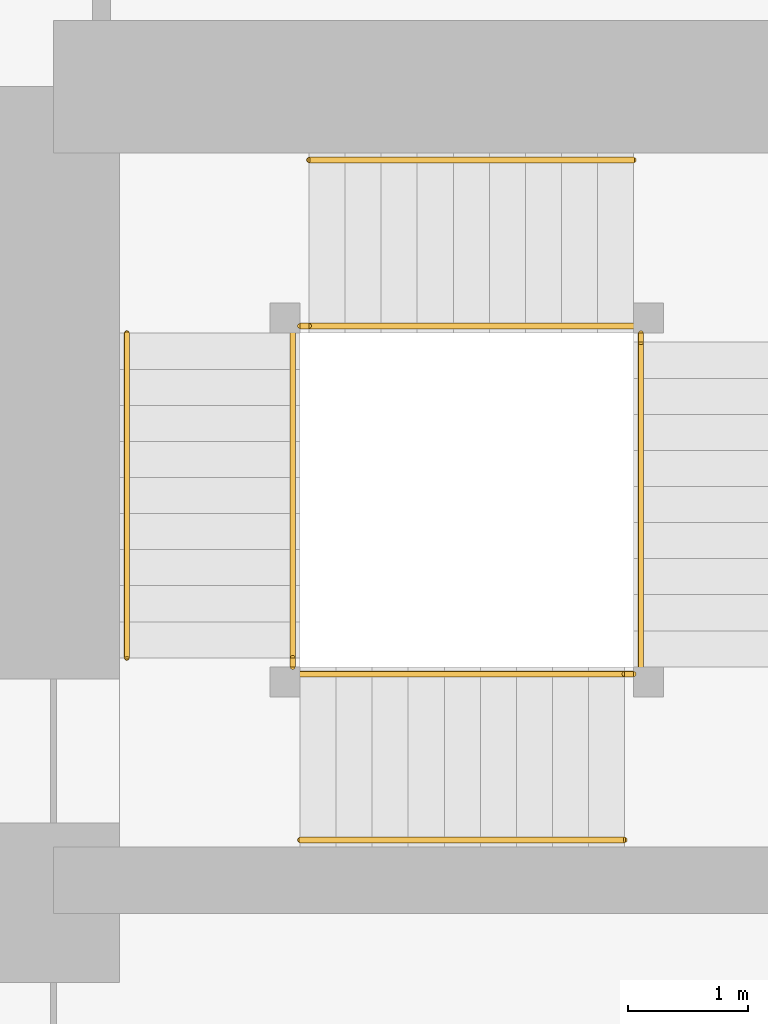
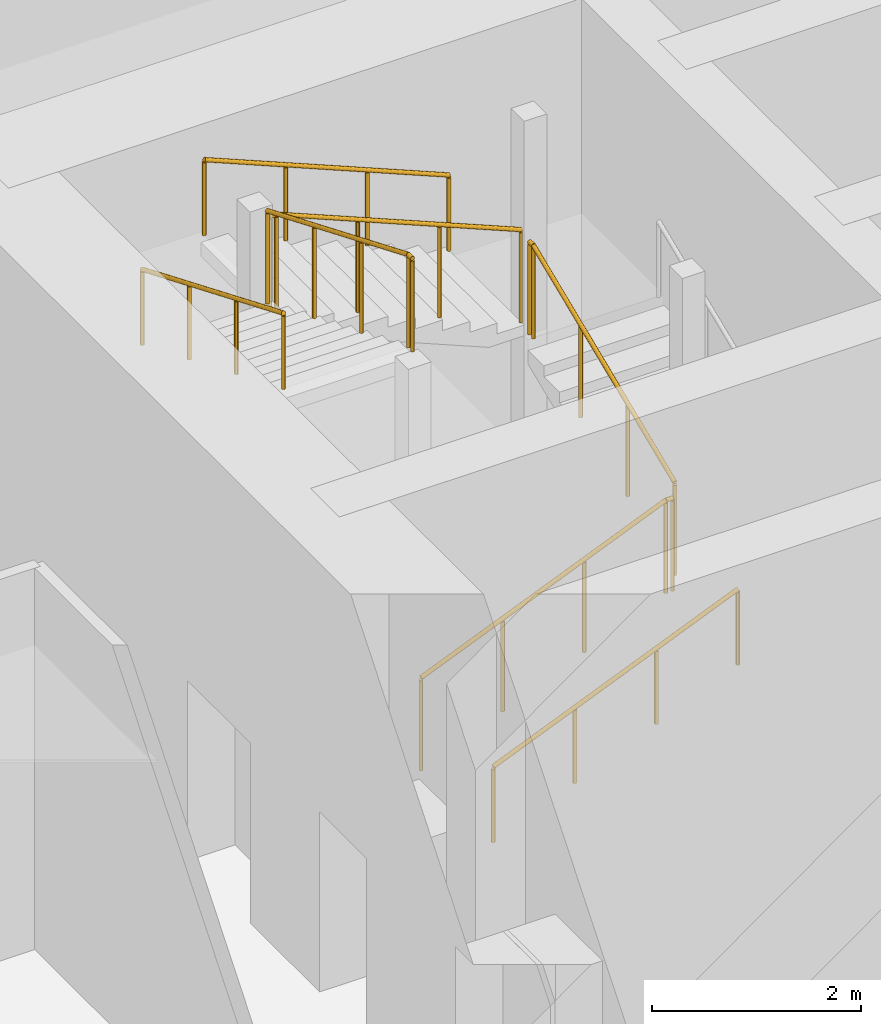
# One storey, part 49 of 52: 11 railings.
"""IFC4 building model written with IfcOpenShell, lengths in metres."""

from ifc_helpers import new_model, si_unit, direction, frame, origin, origin_2d, place, context, subcontext, project, spatial, circle, extrude, material, type_object, element, save


model = new_model("IFC4")

# Units and contexts
model_context = context("Model", 3, precision=1e-05, world=origin(), true_north=direction((0.0, 1.0)))
body_context = subcontext(model_context, "Body", "Model", "MODEL_VIEW")
ifc_project = project(units=[si_unit("LENGTHUNIT", "METRE"), si_unit("AREAUNIT", "SQUARE_METRE"), si_unit("VOLUMEUNIT", "CUBIC_METRE"), si_unit("PLANEANGLEUNIT", "RADIAN"), si_unit("MASSUNIT", "GRAM", prefix="KILO")], contexts=[model_context])

# Site, building, storey
site_placement = place(None, origin())
site = spatial("IfcSite", under=ifc_project, at=site_placement, CompositionType="ELEMENT")
building_placement = place(site_placement, origin())
building = spatial("IfcBuilding", under=site, at=building_placement, Name="Rekha Terrace Tower", CompositionType="ELEMENT")
storey_placement = place(building_placement, frame((0.0, 0.0, 20.39990234375)))
storey = spatial("IfcBuildingStorey", under=building, at=storey_placement, Name="L04", CompositionType="ELEMENT", Elevation=20.39990234375)

# Railings
ifc_material_1 = material(Name="Stainless steel balustrade", Category="steel")
railing_type_1 = type_object("IfcRailingType", Name="GR1 1100 stair guard", PredefinedType="GUARDRAIL", material=ifc_material_1)
railing_1_placement = place(storey_placement, frame((27.25, 41.31494140625, 0.125)))
element("IfcRailing", 1, at=railing_1_placement, inside=storey, type_object=railing_type_1, Name="Guard ST4 L04 flight 1", PredefinedType="GUARDRAIL", context=body_context, shape_type="SweptSolid", body=[
    extrude(circle(Radius=0.02392578125, at=origin_2d()), frame((0.0, 0.0, 1.076171875), z_axis=(0.923074453586, 0.0, 0.384621311341), x_axis=(0.0, 1.0, 0.0)), (0.0, 0.0, 1.0), 2.925048828125),
    extrude(circle(Radius=0.02099609375, at=origin_2d()), origin(), (0.0, 0.0, 1.0), 1.052001953125),
    extrude(circle(Radius=0.02099609375, at=origin_2d()), frame((0.89990234375, 0.0, 0.375)), (0.0, 0.0, 1.0), 1.052001953125),
    extrude(circle(Radius=0.02099609375, at=origin_2d()), frame((1.800048828125, 0.0, 0.75)), (0.0, 0.0, 1.0), 1.052001953125),
    extrude(circle(Radius=0.02099609375, at=origin_2d()), frame((2.699951171875, 0.0, 1.125)), (0.0, 0.0, 1.0), 1.052001953125),
])
railing_2_placement = place(storey_placement, frame((30.0849609375, 41.375, 1.375)))
element("IfcRailing", 2, at=railing_2_placement, inside=storey, type_object=railing_type_1, Name="Guard ST4 L04 flight 2", PredefinedType="GUARDRAIL", context=body_context, shape_type="SweptSolid", body=[
    extrude(circle(Radius=0.02392578125, at=origin_2d()), frame((0.0, 0.0, 1.076171875), z_axis=(0.0, 0.923074453586, 0.384621311341), x_axis=(-1.0, 0.0, 0.0)), (0.0, 0.0, 1.0), 2.925048828125),
    extrude(circle(Radius=0.02099609375, at=origin_2d()), origin(), (0.0, 0.0, 1.0), 1.052001953125),
    extrude(circle(Radius=0.02099609375, at=origin_2d()), frame((0.0, 0.89990234375, 0.375)), (0.0, 0.0, 1.0), 1.052001953125),
    extrude(circle(Radius=0.02099609375, at=origin_2d()), frame((0.0, 1.800048828125, 0.75)), (0.0, 0.0, 1.0), 1.052001953125),
    extrude(circle(Radius=0.02099609375, at=origin_2d()), frame((0.0, 2.699951171875, 1.125)), (0.0, 0.0, 1.0), 1.052001953125),
])
railing_3_placement = place(storey_placement, frame((30.02490234375, 44.2099609375, 2.625)))
element("IfcRailing", 3, at=railing_3_placement, inside=storey, type_object=railing_type_1, Name="Guard ST4 L04 flight 3", PredefinedType="GUARDRAIL", context=body_context, shape_type="SweptSolid", body=[
    extrude(circle(Radius=0.02392578125, at=origin_2d()), frame((0.0, 0.0, 1.076171875), z_axis=(-0.923074453586, 0.0, 0.384621311341), x_axis=(0.0, -1.0, 0.0)), (0.0, 0.0, 1.0), 2.925048828125),
    extrude(circle(Radius=0.02099609375, at=origin_2d()), origin(), (0.0, 0.0, 1.0), 1.052001953125),
    extrude(circle(Radius=0.02099609375, at=origin_2d()), frame((-0.89990234375, 0.0, 0.375)), (0.0, 0.0, 1.0), 1.052001953125),
    extrude(circle(Radius=0.02099609375, at=origin_2d()), frame((-1.800048828125, 0.0, 0.75)), (0.0, 0.0, 1.0), 1.052001953125),
    extrude(circle(Radius=0.02099609375, at=origin_2d()), frame((-2.699951171875, 0.0, 1.125)), (0.0, 0.0, 1.0), 1.052001953125),
])
railing_4_placement = place(storey_placement, frame((27.18994140625, 44.14990234375, 3.875)))
element("IfcRailing", 4, at=railing_4_placement, inside=storey, type_object=railing_type_1, Name="Guard ST4 L04 flight 4", PredefinedType="GUARDRAIL", context=body_context, shape_type="SweptSolid", body=[
    extrude(circle(Radius=0.02392578125, at=origin_2d()), frame((0.0, 0.0, 1.076171875), z_axis=(0.0, -0.923074453586, 0.384621311341), x_axis=(1.0, 0.0, 0.0)), (0.0, 0.0, 1.0), 2.925048828125),
    extrude(circle(Radius=0.02099609375, at=origin_2d()), origin(), (0.0, 0.0, 1.0), 1.052001953125),
    extrude(circle(Radius=0.02099609375, at=origin_2d()), frame((0.0, -0.89990234375, 0.375)), (0.0, 0.0, 1.0), 1.052001953125),
    extrude(circle(Radius=0.02099609375, at=origin_2d()), frame((0.0, -1.800048828125, 0.75)), (0.0, 0.0, 1.0), 1.052001953125),
    extrude(circle(Radius=0.02099609375, at=origin_2d()), frame((0.0, -2.699951171875, 1.125)), (0.0, 0.0, 1.0), 1.052001953125),
])
railing_5_placement = place(storey_placement, frame((29.949951171875, 41.31494140625, 1.25)))
element("IfcRailing", 5, at=railing_5_placement, inside=storey, type_object=railing_type_1, Name="Guard ST4 L04 landing 1", PredefinedType="GUARDRAIL", context=body_context, shape_type="SweptSolid", body=[
    extrude(circle(Radius=0.02392578125, at=origin_2d()), frame((0.0, 0.0, 1.076171875), z_axis=(1.0, 0.0, 0.0), x_axis=(0.0, 1.0, 0.0)), (0.0, 0.0, 1.0), 0.074951171875),
    extrude(circle(Radius=0.02099609375, at=origin_2d()), origin(), (0.0, 0.0, 1.0), 1.052001953125),
    extrude(circle(Radius=0.02099609375, at=origin_2d()), frame((0.074951171875, 0.0, 0.0)), (0.0, 0.0, 1.0), 1.052001953125),
])
railing_6_placement = place(storey_placement, frame((30.0849609375, 44.074951171875, 2.5)))
element("IfcRailing", 6, at=railing_6_placement, inside=storey, type_object=railing_type_1, Name="Guard ST4 L04 landing 2", PredefinedType="GUARDRAIL", context=body_context, shape_type="SweptSolid", body=[
    extrude(circle(Radius=0.02392578125, at=origin_2d()), frame((0.0, 0.0, 1.076171875), z_axis=(0.0, 1.0, 0.0), x_axis=(-1.0, 0.0, 0.0)), (0.0, 0.0, 1.0), 0.074951171875),
    extrude(circle(Radius=0.02099609375, at=origin_2d()), origin(), (0.0, 0.0, 1.0), 1.052001953125),
    extrude(circle(Radius=0.02099609375, at=origin_2d()), frame((0.0, 0.074951171875, 0.0)), (0.0, 0.0, 1.0), 1.052001953125),
])
railing_7_placement = place(storey_placement, frame((27.25, 44.2099609375, 3.75)))
element("IfcRailing", 7, at=railing_7_placement, inside=storey, type_object=railing_type_1, Name="Guard ST4 L04 landing 3", PredefinedType="GUARDRAIL", context=body_context, shape_type="SweptSolid", body=[
    extrude(circle(Radius=0.02392578125, at=origin_2d()), frame((0.0, 0.0, 1.076171875), z_axis=(1.0, 0.0, 0.0), x_axis=(0.0, 1.0, 0.0)), (0.0, 0.0, 1.0), 0.074951171875),
    extrude(circle(Radius=0.02099609375, at=origin_2d()), origin(), (0.0, 0.0, 1.0), 1.052001953125),
    extrude(circle(Radius=0.02099609375, at=origin_2d()), frame((0.074951171875, 0.0, 0.0)), (0.0, 0.0, 1.0), 1.052001953125),
])
railing_8_placement = place(storey_placement, frame((27.18994140625, 41.375, 5.0)))
element("IfcRailing", 8, at=railing_8_placement, inside=storey, type_object=railing_type_1, Name="Guard ST4 L04 landing 4", PredefinedType="GUARDRAIL", context=body_context, shape_type="SweptSolid", body=[
    extrude(circle(Radius=0.02392578125, at=origin_2d()), frame((0.0, 0.0, 1.076171875), z_axis=(0.0, 1.0, 0.0), x_axis=(-1.0, 0.0, 0.0)), (0.0, 0.0, 1.0), 0.074951171875),
    extrude(circle(Radius=0.02099609375, at=origin_2d()), origin(), (0.0, 0.0, 1.0), 1.052001953125),
    extrude(circle(Radius=0.02099609375, at=origin_2d()), frame((0.0, 0.074951171875, 0.0)), (0.0, 0.0, 1.0), 1.052001953125),
])
ifc_material_2 = material(Name="Stainless steel tube", Category="steel")
railing_type_2 = type_object("IfcRailingType", Name="HR1 900 stair handrail", PredefinedType="HANDRAIL", material=ifc_material_2)
railing_9_placement = place(storey_placement, frame((27.25, 39.93505859375, 0.125)))
element("IfcRailing", 9, at=railing_9_placement, inside=storey, type_object=railing_type_2, Name="Handrail ST4 L04 flight 1", PredefinedType="HANDRAIL", context=body_context, shape_type="SweptSolid", body=[
    extrude(circle(Radius=0.02392578125, at=origin_2d()), frame((0.0, 0.0, 0.8759765625), z_axis=(0.923074453586, 0.0, 0.384621311341), x_axis=(0.0, 1.0, 0.0)), (0.0, 0.0, 1.0), 2.925048828125),
    extrude(circle(Radius=0.02099609375, at=origin_2d()), origin(), (0.0, 0.0, 1.0), 0.851806640625),
    extrude(circle(Radius=0.02099609375, at=origin_2d()), frame((0.89990234375, 0.0, 0.375)), (0.0, 0.0, 1.0), 0.851806640625),
    extrude(circle(Radius=0.02099609375, at=origin_2d()), frame((1.800048828125, 0.0, 0.75)), (0.0, 0.0, 1.0), 0.851806640625),
    extrude(circle(Radius=0.02099609375, at=origin_2d()), frame((2.699951171875, 0.0, 1.125)), (0.0, 0.0, 1.0), 0.851806640625),
])
railing_10_placement = place(storey_placement, frame((30.02490234375, 45.590087890625, 2.625)))
element("IfcRailing", 10, at=railing_10_placement, inside=storey, type_object=railing_type_2, Name="Handrail ST4 L04 flight 3", PredefinedType="HANDRAIL", context=body_context, shape_type="SweptSolid", body=[
    extrude(circle(Radius=0.02392578125, at=origin_2d()), frame((0.0, 0.0, 0.8759765625), z_axis=(-0.923074453586, 0.0, 0.384621311341), x_axis=(0.0, -1.0, 0.0)), (0.0, 0.0, 1.0), 2.925048828125),
    extrude(circle(Radius=0.02099609375, at=origin_2d()), origin(), (0.0, 0.0, 1.0), 0.851806640625),
    extrude(circle(Radius=0.02099609375, at=origin_2d()), frame((-0.89990234375, 0.0, 0.375)), (0.0, 0.0, 1.0), 0.851806640625),
    extrude(circle(Radius=0.02099609375, at=origin_2d()), frame((-1.800048828125, 0.0, 0.75)), (0.0, 0.0, 1.0), 0.851806640625),
    extrude(circle(Radius=0.02099609375, at=origin_2d()), frame((-2.699951171875, 0.0, 1.125)), (0.0, 0.0, 1.0), 0.851806640625),
])
railing_11_placement = place(storey_placement, frame((25.81005859375, 44.14990234375, 3.875)))
element("IfcRailing", 11, at=railing_11_placement, inside=storey, type_object=railing_type_2, Name="Handrail ST4 L04 flight 4", PredefinedType="HANDRAIL", context=body_context, shape_type="SweptSolid", body=[
    extrude(circle(Radius=0.02392578125, at=origin_2d()), frame((0.0, 0.0, 0.8759765625), z_axis=(0.0, -0.923074453586, 0.384621311341), x_axis=(1.0, 0.0, 0.0)), (0.0, 0.0, 1.0), 2.925048828125),
    extrude(circle(Radius=0.02099609375, at=origin_2d()), origin(), (0.0, 0.0, 1.0), 0.851806640625),
    extrude(circle(Radius=0.02099609375, at=origin_2d()), frame((0.0, -0.89990234375, 0.375)), (0.0, 0.0, 1.0), 0.851806640625),
    extrude(circle(Radius=0.02099609375, at=origin_2d()), frame((0.0, -1.800048828125, 0.75)), (0.0, 0.0, 1.0), 0.851806640625),
    extrude(circle(Radius=0.02099609375, at=origin_2d()), frame((0.0, -2.699951171875, 1.125)), (0.0, 0.0, 1.0), 0.851806640625),
])

save(model, "model.ifc")
